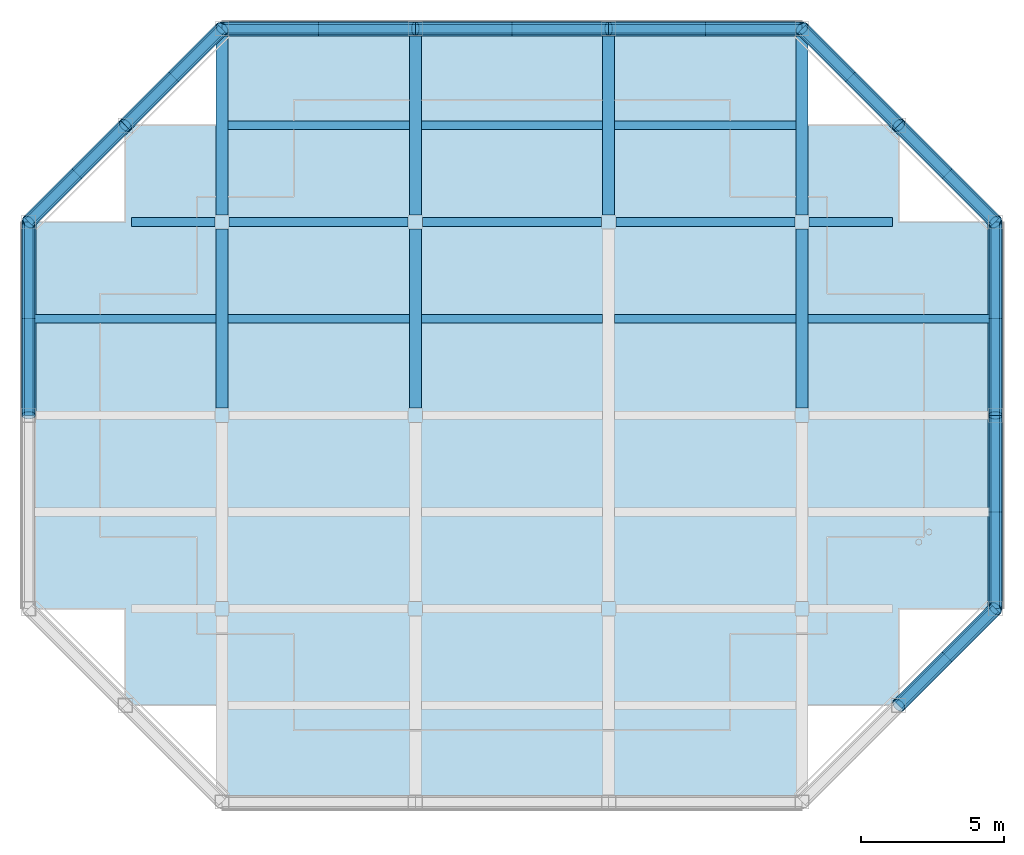
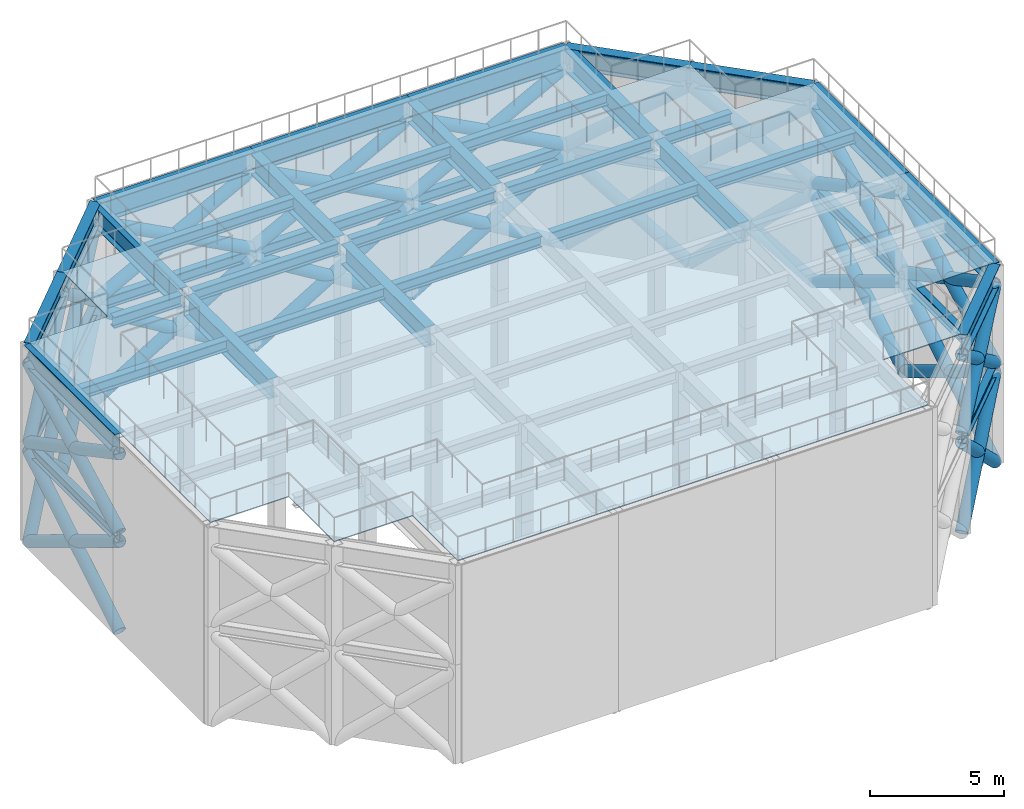
# One storey, part 3 of 5: 44 members, 42 beams, 1 plate.
"""IFC4 building model written with IfcOpenShell, lengths in metres."""

from ifc_helpers import new_model, si_unit, direction, frame, origin, origin_2d, place, context, subcontext, project, spatial, polyline, hollow_circle, i_section, outline, extrude, material, layer, layer_set, material_profile, profile_set, type_object, element, save


model = new_model("IFC4")

# Units and contexts
model_context = context("Model", 3, precision=1e-05, world=origin(), true_north=direction((0.0, 1.0)))
body_context = subcontext(model_context, "Body", "Model", "MODEL_VIEW")
ifc_project = project(units=[si_unit("LENGTHUNIT", "METRE"), si_unit("AREAUNIT", "SQUARE_METRE"), si_unit("VOLUMEUNIT", "CUBIC_METRE"), si_unit("PLANEANGLEUNIT", "RADIAN"), si_unit("MASSUNIT", "GRAM", prefix="KILO")], contexts=[model_context])

# Site, building, storey
site_placement = place(None, origin())
site = spatial("IfcSite", under=ifc_project, at=site_placement, CompositionType="ELEMENT")
building_placement = place(site_placement, origin())
building = spatial("IfcBuilding", under=site, at=building_placement, Name="Nyansa Garden Tower", CompositionType="ELEMENT")
storey_placement = place(building_placement, frame((0.0, 0.0, 259.199951171875)))
storey = spatial("IfcBuildingStorey", under=building, at=storey_placement, Name="L70", CompositionType="ELEMENT", Elevation=259.199951171875)

# Beams
ifc_material_1 = material(Name="Steel S355", Category="steel")
ifc_material_profile_1 = material_profile(ifc_material_1, i_section(OverallWidth=0.422119140625, OverallDepth=0.9189453125, WebThickness=0.0166015625, FlangeThickness=0.030029296875, FilletRadius=0.02392578125, at=origin_2d()), Name="HL 920x390")
ifc_profile_set_1 = profile_set([ifc_material_profile_1], Name="Steel S355")
beam_type_1 = type_object("IfcBeamType", Name="Crown frame cap ring HL 920x390", PredefinedType="BEAM", material=ifc_profile_set_1)
beam_1_placement = place(storey_placement, frame((33.75, 13.5, 8.54052734375), z_axis=(-0.707106781187, -0.707106781187, 0.0), x_axis=(0.707106781187, -0.707106781187, 0.0)))
element("IfcBeam", 1, at=beam_1_placement, inside=storey, type_object=beam_type_1, Name="Crown frame cap ring 7/F-30.375/10.125", PredefinedType="BEAM", context=body_context, shape_type="SweptSolid", body=[
    extrude(i_section(OverallWidth=0.422119140625, OverallDepth=0.9189453125, WebThickness=0.0166015625, FlangeThickness=0.030029296875, FilletRadius=0.02392578125, at=origin_2d()), origin(), (0.0, 0.0, 1.0), 4.77294921875),
])
beam_2_placement = place(storey_placement, frame((0.0, 20.25, 8.54052734375), z_axis=(0.0, 1.0, 0.0), x_axis=(-1.0, 0.0, 0.0)))
element("IfcBeam", 2, at=beam_2_placement, inside=storey, type_object=beam_type_1, Name="Crown frame cap ring 2/G-2/H", PredefinedType="BEAM", context=body_context, shape_type="SweptSolid", body=[
    extrude(i_section(OverallWidth=0.422119140625, OverallDepth=0.9189453125, WebThickness=0.0166015625, FlangeThickness=0.030029296875, FilletRadius=0.02392578125, at=origin_2d()), origin(), (0.0, 0.0, 1.0), 6.75),
])
for number, where, z_axis, x_axis, name in (
    (3, (0.0, 27.0, 8.54052734375), (0.707106781187, 0.707106781187, 0.0), (-0.707106781187, 0.707106781187, 0.0), "Crown frame cap ring 2/H-3.375/30.375"),
    (4, (3.375, 30.375, 8.54052734375), (0.707106781187, 0.707106781187, 0.0), (-0.707106781187, 0.707106781187, 0.0), "Crown frame cap ring 3.375/30.375-3/J"),
):
    element("IfcBeam", number, at=place(storey_placement, frame(where, z_axis=z_axis, x_axis=x_axis)), inside=storey, type_object=beam_type_1, Name=name, PredefinedType="BEAM", context=body_context, shape_type="SweptSolid", body=[
        extrude(i_section(OverallWidth=0.422119140625, OverallDepth=0.9189453125, WebThickness=0.0166015625, FlangeThickness=0.030029296875, FilletRadius=0.02392578125, at=origin_2d()), origin(), (0.0, 0.0, 1.0), 4.77294921875),
    ])
for number, where, z_axis, x_axis, name in (
    (5, (6.75, 33.75, 8.54052734375), (1.0, 0.0, 0.0), (0.0, 1.0, 0.0), "Crown frame cap ring 3/J-4/J"),
    (6, (13.5, 33.75, 8.54052734375), (1.0, 0.0, 0.0), (0.0, 1.0, 0.0), "Crown frame cap ring 4/J-5/J"),
    (7, (20.25, 33.75, 8.54052734375), (1.0, 0.0, 0.0), (0.0, 1.0, 0.0), "Crown frame cap ring 5/J-6/J"),
):
    element("IfcBeam", number, at=place(storey_placement, frame(where, z_axis=z_axis, x_axis=x_axis)), inside=storey, type_object=beam_type_1, Name=name, PredefinedType="BEAM", context=body_context, shape_type="SweptSolid", body=[
        extrude(i_section(OverallWidth=0.422119140625, OverallDepth=0.9189453125, WebThickness=0.0166015625, FlangeThickness=0.030029296875, FilletRadius=0.02392578125, at=origin_2d()), origin(), (0.0, 0.0, 1.0), 6.75),
    ])
for number, where, z_axis, x_axis, name in (
    (8, (27.0, 33.75, 8.54052734375), (0.707106781187, -0.707106781187, 0.0), (0.707106781187, 0.707106781187, 0.0), "Crown frame cap ring 6/J-30.375/30.375"),
    (9, (30.375, 30.375, 8.54052734375), (0.707106781187, -0.707106781187, 0.0), (0.707106781187, 0.707106781187, 0.0), "Crown frame cap ring 30.375/30.375-7/H"),
):
    element("IfcBeam", number, at=place(storey_placement, frame(where, z_axis=z_axis, x_axis=x_axis)), inside=storey, type_object=beam_type_1, Name=name, PredefinedType="BEAM", context=body_context, shape_type="SweptSolid", body=[
        extrude(i_section(OverallWidth=0.422119140625, OverallDepth=0.9189453125, WebThickness=0.0166015625, FlangeThickness=0.030029296875, FilletRadius=0.02392578125, at=origin_2d()), origin(), (0.0, 0.0, 1.0), 4.77294921875),
    ])
for number, where, z_axis, x_axis, name in (
    (10, (33.75, 27.0, 8.54052734375), (0.0, -1.0, 0.0), (1.0, 0.0, 0.0), "Crown frame cap ring 7/H-7/G"),
    (11, (33.75, 20.25, 8.54052734375), (0.0, -1.0, 0.0), (1.0, 0.0, 0.0), "Crown frame cap ring 7/G-7/F"),
):
    element("IfcBeam", number, at=place(storey_placement, frame(where, z_axis=z_axis, x_axis=x_axis)), inside=storey, type_object=beam_type_1, Name=name, PredefinedType="BEAM", context=body_context, shape_type="SweptSolid", body=[
        extrude(i_section(OverallWidth=0.422119140625, OverallDepth=0.9189453125, WebThickness=0.0166015625, FlangeThickness=0.030029296875, FilletRadius=0.02392578125, at=origin_2d()), origin(), (0.0, 0.0, 1.0), 6.75),
    ])
for number, where, z_axis, x_axis, name in (
    (12, (6.75, 20.5, 8.54052734375), (0.0, 1.0, 0.0), (-1.0, 0.0, 0.0), "Crown frame cap girder 3"),
    (13, (6.75, 27.25, 8.54052734375), (0.0, 1.0, 0.0), (-1.0, 0.0, 0.0), "Crown frame cap girder 4"),
    (14, (13.5, 20.5, 8.54052734375), (0.0, 1.0, 0.0), (-1.0, 0.0, 0.0), "Crown frame cap girder 7"),
    (15, (13.5, 27.25, 8.54052734375), (0.0, 1.0, 0.0), (-1.0, 0.0, 0.0), "Crown frame cap girder 8"),
    (16, (20.25, 27.25, 8.54052734375), (0.0, 1.0, 0.0), (-1.0, 0.0, 0.0), "Crown frame cap girder 11"),
    (17, (27.0, 20.5, 8.54052734375), (0.0, 1.0, 0.0), (-1.0, 0.0, 0.0), "Crown frame cap girder 14"),
    (18, (27.0, 27.25, 8.54052734375), (0.0, 1.0, 0.0), (-1.0, 0.0, 0.0), "Crown frame cap girder 15"),
):
    element("IfcBeam", number, at=place(storey_placement, frame(where, z_axis=z_axis, x_axis=x_axis)), inside=storey, type_object=beam_type_1, Name=name, PredefinedType="BEAM", context=body_context, shape_type="SweptSolid", body=[
        extrude(i_section(OverallWidth=0.422119140625, OverallDepth=0.9189453125, WebThickness=0.0166015625, FlangeThickness=0.030029296875, FilletRadius=0.02392578125, at=origin_2d()), origin(), (0.0, 0.0, 1.0), 6.25),
    ])

# Members
ifc_material_2 = material(Name="Steel S355", Category="steel")
ifc_material_profile_2 = material_profile(ifc_material_2, hollow_circle(Radius=0.25390625, WallThickness=0.01611328125, at=origin_2d()), Name="CHS 508x16")
ifc_profile_set_2 = profile_set([ifc_material_profile_2], Name="Steel S355")
member_type = type_object("IfcMemberType", Name="Crown frame rib CHS 508x16", PredefinedType="BRACE", material=ifc_profile_set_2)
for number, where, z_axis, x_axis, name in (
    (19, (33.75, 13.5, 4.5), (-0.56560995683, -0.56560995683, 0.600142277689), (0.707106781187, -0.707106781187, 0.0), "Crown frame rib 1a"),
    (20, (30.375, 10.125, 4.5), (0.56560995683, 0.56560995683, 0.600142277689), (-0.707106781187, 0.707106781187, 0.0), "Crown frame rib 1b"),
):
    element("IfcMember", number, at=place(storey_placement, frame(where, z_axis=z_axis, x_axis=x_axis)), inside=storey, type_object=member_type, Name=name, PredefinedType="BRACE", context=body_context, shape_type="SweptSolid", body=[
        extrude(hollow_circle(Radius=0.25390625, WallThickness=0.01611328125, at=origin_2d()), origin(), (0.0, 0.0, 1.0), 5.967041015625),
    ])
for number, where, z_axis, x_axis, name in (
    (21, (33.75, 13.5, 0.0), (-0.536376544624, -0.536376544624, 0.651613692884), (0.707106781187, -0.707106781187, 0.0), "Crown frame rib 1c"),
    (22, (30.375, 10.125, 0.0), (0.536376544624, 0.536376544624, 0.651613692884), (-0.707106781187, 0.707106781187, 0.0), "Crown frame rib 1d"),
):
    element("IfcMember", number, at=place(storey_placement, frame(where, z_axis=z_axis, x_axis=x_axis)), inside=storey, type_object=member_type, Name=name, PredefinedType="BRACE", context=body_context, shape_type="SweptSolid", body=[
        extrude(hollow_circle(Radius=0.25390625, WallThickness=0.01611328125, at=origin_2d()), origin(), (0.0, 0.0, 1.0), 6.292236328125),
    ])
for number, where, z_axis, x_axis, name in (
    (23, (0.0, 20.25, 4.5), (0.0, 0.883380336278, 0.468656784307), (-1.0, 0.0, 0.0), "Crown frame rib 9a"),
    (24, (0.0, 27.0, 4.5), (0.0, -0.883380336278, 0.468656784307), (1.0, 0.0, 0.0), "Crown frame rib 9b"),
):
    element("IfcMember", number, at=place(storey_placement, frame(where, z_axis=z_axis, x_axis=x_axis)), inside=storey, type_object=member_type, Name=name, PredefinedType="BRACE", context=body_context, shape_type="SweptSolid", body=[
        extrude(hollow_circle(Radius=0.25390625, WallThickness=0.01611328125, at=origin_2d()), origin(), (0.0, 0.0, 1.0), 7.64111328125),
    ])
for number, where, z_axis, x_axis, name in (
    (25, (0.0, 20.25, 0.0), (0.0, 0.854681707701, 0.51915236542), (-1.0, 0.0, 0.0), "Crown frame rib 9c"),
    (26, (0.0, 27.0, 0.0), (0.0, -0.854681707701, 0.51915236542), (1.0, 0.0, 0.0), "Crown frame rib 9d"),
):
    element("IfcMember", number, at=place(storey_placement, frame(where, z_axis=z_axis, x_axis=x_axis)), inside=storey, type_object=member_type, Name=name, PredefinedType="BRACE", context=body_context, shape_type="SweptSolid", body=[
        extrude(hollow_circle(Radius=0.25390625, WallThickness=0.01611328125, at=origin_2d()), origin(), (0.0, 0.0, 1.0), 7.897705078125),
    ])
for number, where, z_axis, x_axis, name in (
    (27, (0.0, 27.0, 4.5), (0.56560995683, 0.56560995683, 0.600142277689), (-0.707106781187, 0.707106781187, 0.0), "Crown frame rib 10a"),
    (28, (3.375, 30.375, 4.5), (-0.56560995683, -0.56560995683, 0.600142277689), (0.707106781187, -0.707106781187, 0.0), "Crown frame rib 10b"),
):
    element("IfcMember", number, at=place(storey_placement, frame(where, z_axis=z_axis, x_axis=x_axis)), inside=storey, type_object=member_type, Name=name, PredefinedType="BRACE", context=body_context, shape_type="SweptSolid", body=[
        extrude(hollow_circle(Radius=0.25390625, WallThickness=0.01611328125, at=origin_2d()), origin(), (0.0, 0.0, 1.0), 5.967041015625),
    ])
for number, where, z_axis, x_axis, name in (
    (29, (0.0, 27.0, 0.0), (0.536376544624, 0.536376544624, 0.651613692884), (-0.707106781187, 0.707106781187, 0.0), "Crown frame rib 10c"),
    (30, (3.375, 30.375, 0.0), (-0.536376544624, -0.536376544624, 0.651613692884), (0.707106781187, -0.707106781187, 0.0), "Crown frame rib 10d"),
):
    element("IfcMember", number, at=place(storey_placement, frame(where, z_axis=z_axis, x_axis=x_axis)), inside=storey, type_object=member_type, Name=name, PredefinedType="BRACE", context=body_context, shape_type="SweptSolid", body=[
        extrude(hollow_circle(Radius=0.25390625, WallThickness=0.01611328125, at=origin_2d()), origin(), (0.0, 0.0, 1.0), 6.292236328125),
    ])
for number, where, z_axis, x_axis, name in (
    (31, (3.375, 30.375, 4.5), (0.56560995683, 0.56560995683, 0.600142277689), (-0.707106781187, 0.707106781187, 0.0), "Crown frame rib 11a"),
    (32, (6.75, 33.75, 4.5), (-0.56560995683, -0.56560995683, 0.600142277689), (0.707106781187, -0.707106781187, 0.0), "Crown frame rib 11b"),
):
    element("IfcMember", number, at=place(storey_placement, frame(where, z_axis=z_axis, x_axis=x_axis)), inside=storey, type_object=member_type, Name=name, PredefinedType="BRACE", context=body_context, shape_type="SweptSolid", body=[
        extrude(hollow_circle(Radius=0.25390625, WallThickness=0.01611328125, at=origin_2d()), origin(), (0.0, 0.0, 1.0), 5.967041015625),
    ])
for number, where, z_axis, x_axis, name in (
    (33, (3.375, 30.375, 0.0), (0.536376544624, 0.536376544624, 0.651613692884), (-0.707106781187, 0.707106781187, 0.0), "Crown frame rib 11c"),
    (34, (6.75, 33.75, 0.0), (-0.536376544624, -0.536376544624, 0.651613692884), (0.707106781187, -0.707106781187, 0.0), "Crown frame rib 11d"),
):
    element("IfcMember", number, at=place(storey_placement, frame(where, z_axis=z_axis, x_axis=x_axis)), inside=storey, type_object=member_type, Name=name, PredefinedType="BRACE", context=body_context, shape_type="SweptSolid", body=[
        extrude(hollow_circle(Radius=0.25390625, WallThickness=0.01611328125, at=origin_2d()), origin(), (0.0, 0.0, 1.0), 6.292236328125),
    ])
for number, where, z_axis, x_axis, name in (
    (35, (6.75, 33.75, 4.5), (0.883380336278, 0.0, 0.468656784307), (0.0, 1.0, 0.0), "Crown frame rib 12a"),
    (36, (13.5, 33.75, 4.5), (-0.883380336278, 0.0, 0.468656784307), (0.0, -1.0, 0.0), "Crown frame rib 12b"),
):
    element("IfcMember", number, at=place(storey_placement, frame(where, z_axis=z_axis, x_axis=x_axis)), inside=storey, type_object=member_type, Name=name, PredefinedType="BRACE", context=body_context, shape_type="SweptSolid", body=[
        extrude(hollow_circle(Radius=0.25390625, WallThickness=0.01611328125, at=origin_2d()), origin(), (0.0, 0.0, 1.0), 7.64111328125),
    ])
for number, where, z_axis, x_axis, name in (
    (37, (6.75, 33.75, 0.0), (0.854681707701, 0.0, 0.51915236542), (0.0, 1.0, 0.0), "Crown frame rib 12c"),
    (38, (13.5, 33.75, 0.0), (-0.854681707701, 0.0, 0.51915236542), (0.0, -1.0, 0.0), "Crown frame rib 12d"),
):
    element("IfcMember", number, at=place(storey_placement, frame(where, z_axis=z_axis, x_axis=x_axis)), inside=storey, type_object=member_type, Name=name, PredefinedType="BRACE", context=body_context, shape_type="SweptSolid", body=[
        extrude(hollow_circle(Radius=0.25390625, WallThickness=0.01611328125, at=origin_2d()), origin(), (0.0, 0.0, 1.0), 7.897705078125),
    ])
for number, where, z_axis, x_axis, name in (
    (39, (13.5, 33.75, 4.5), (0.883380336278, 0.0, 0.468656784307), (0.0, 1.0, 0.0), "Crown frame rib 13a"),
    (40, (20.25, 33.75, 4.5), (-0.883380336278, 0.0, 0.468656784307), (0.0, -1.0, 0.0), "Crown frame rib 13b"),
):
    element("IfcMember", number, at=place(storey_placement, frame(where, z_axis=z_axis, x_axis=x_axis)), inside=storey, type_object=member_type, Name=name, PredefinedType="BRACE", context=body_context, shape_type="SweptSolid", body=[
        extrude(hollow_circle(Radius=0.25390625, WallThickness=0.01611328125, at=origin_2d()), origin(), (0.0, 0.0, 1.0), 7.64111328125),
    ])
for number, where, z_axis, x_axis, name in (
    (41, (13.5, 33.75, 0.0), (0.854681707701, 0.0, 0.51915236542), (0.0, 1.0, 0.0), "Crown frame rib 13c"),
    (42, (20.25, 33.75, 0.0), (-0.854681707701, 0.0, 0.51915236542), (0.0, -1.0, 0.0), "Crown frame rib 13d"),
):
    element("IfcMember", number, at=place(storey_placement, frame(where, z_axis=z_axis, x_axis=x_axis)), inside=storey, type_object=member_type, Name=name, PredefinedType="BRACE", context=body_context, shape_type="SweptSolid", body=[
        extrude(hollow_circle(Radius=0.25390625, WallThickness=0.01611328125, at=origin_2d()), origin(), (0.0, 0.0, 1.0), 7.897705078125),
    ])
for number, where, z_axis, x_axis, name in (
    (43, (20.25, 33.75, 4.5), (0.883380336278, 0.0, 0.468656784307), (0.0, 1.0, 0.0), "Crown frame rib 14a"),
    (44, (27.0, 33.75, 4.5), (-0.883380336278, 0.0, 0.468656784307), (0.0, -1.0, 0.0), "Crown frame rib 14b"),
):
    element("IfcMember", number, at=place(storey_placement, frame(where, z_axis=z_axis, x_axis=x_axis)), inside=storey, type_object=member_type, Name=name, PredefinedType="BRACE", context=body_context, shape_type="SweptSolid", body=[
        extrude(hollow_circle(Radius=0.25390625, WallThickness=0.01611328125, at=origin_2d()), origin(), (0.0, 0.0, 1.0), 7.64111328125),
    ])
for number, where, z_axis, x_axis, name in (
    (45, (20.25, 33.75, 0.0), (0.854681707701, 0.0, 0.51915236542), (0.0, 1.0, 0.0), "Crown frame rib 14c"),
    (46, (27.0, 33.75, 0.0), (-0.854681707701, 0.0, 0.51915236542), (0.0, -1.0, 0.0), "Crown frame rib 14d"),
):
    element("IfcMember", number, at=place(storey_placement, frame(where, z_axis=z_axis, x_axis=x_axis)), inside=storey, type_object=member_type, Name=name, PredefinedType="BRACE", context=body_context, shape_type="SweptSolid", body=[
        extrude(hollow_circle(Radius=0.25390625, WallThickness=0.01611328125, at=origin_2d()), origin(), (0.0, 0.0, 1.0), 7.897705078125),
    ])
for number, where, z_axis, x_axis, name in (
    (47, (27.0, 33.75, 4.5), (0.56560995683, -0.56560995683, 0.600142277689), (0.707106781187, 0.707106781187, 0.0), "Crown frame rib 15a"),
    (48, (30.375, 30.375, 4.5), (-0.56560995683, 0.56560995683, 0.600142277689), (-0.707106781187, -0.707106781187, 0.0), "Crown frame rib 15b"),
):
    element("IfcMember", number, at=place(storey_placement, frame(where, z_axis=z_axis, x_axis=x_axis)), inside=storey, type_object=member_type, Name=name, PredefinedType="BRACE", context=body_context, shape_type="SweptSolid", body=[
        extrude(hollow_circle(Radius=0.25390625, WallThickness=0.01611328125, at=origin_2d()), origin(), (0.0, 0.0, 1.0), 5.967041015625),
    ])
for number, where, z_axis, x_axis, name in (
    (49, (27.0, 33.75, 0.0), (0.536376544624, -0.536376544624, 0.651613692884), (0.707106781187, 0.707106781187, 0.0), "Crown frame rib 15c"),
    (50, (30.375, 30.375, 0.0), (-0.536376544624, 0.536376544624, 0.651613692884), (-0.707106781187, -0.707106781187, 0.0), "Crown frame rib 15d"),
):
    element("IfcMember", number, at=place(storey_placement, frame(where, z_axis=z_axis, x_axis=x_axis)), inside=storey, type_object=member_type, Name=name, PredefinedType="BRACE", context=body_context, shape_type="SweptSolid", body=[
        extrude(hollow_circle(Radius=0.25390625, WallThickness=0.01611328125, at=origin_2d()), origin(), (0.0, 0.0, 1.0), 6.292236328125),
    ])
for number, where, z_axis, x_axis, name in (
    (51, (30.375, 30.375, 4.5), (0.56560995683, -0.56560995683, 0.600142277689), (0.707106781187, 0.707106781187, 0.0), "Crown frame rib 16a"),
    (52, (33.75, 27.0, 4.5), (-0.56560995683, 0.56560995683, 0.600142277689), (-0.707106781187, -0.707106781187, 0.0), "Crown frame rib 16b"),
):
    element("IfcMember", number, at=place(storey_placement, frame(where, z_axis=z_axis, x_axis=x_axis)), inside=storey, type_object=member_type, Name=name, PredefinedType="BRACE", context=body_context, shape_type="SweptSolid", body=[
        extrude(hollow_circle(Radius=0.25390625, WallThickness=0.01611328125, at=origin_2d()), origin(), (0.0, 0.0, 1.0), 5.967041015625),
    ])
for number, where, z_axis, x_axis, name in (
    (53, (30.375, 30.375, 0.0), (0.536376544624, -0.536376544624, 0.651613692884), (0.707106781187, 0.707106781187, 0.0), "Crown frame rib 16c"),
    (54, (33.75, 27.0, 0.0), (-0.536376544624, 0.536376544624, 0.651613692884), (-0.707106781187, -0.707106781187, 0.0), "Crown frame rib 16d"),
):
    element("IfcMember", number, at=place(storey_placement, frame(where, z_axis=z_axis, x_axis=x_axis)), inside=storey, type_object=member_type, Name=name, PredefinedType="BRACE", context=body_context, shape_type="SweptSolid", body=[
        extrude(hollow_circle(Radius=0.25390625, WallThickness=0.01611328125, at=origin_2d()), origin(), (0.0, 0.0, 1.0), 6.292236328125),
    ])
for number, where, z_axis, x_axis, name in (
    (55, (33.75, 27.0, 4.5), (0.0, -0.883380336278, 0.468656784307), (1.0, 0.0, 0.0), "Crown frame rib 17a"),
    (56, (33.75, 20.25, 4.5), (0.0, 0.883380336278, 0.468656784307), (-1.0, 0.0, 0.0), "Crown frame rib 17b"),
):
    element("IfcMember", number, at=place(storey_placement, frame(where, z_axis=z_axis, x_axis=x_axis)), inside=storey, type_object=member_type, Name=name, PredefinedType="BRACE", context=body_context, shape_type="SweptSolid", body=[
        extrude(hollow_circle(Radius=0.25390625, WallThickness=0.01611328125, at=origin_2d()), origin(), (0.0, 0.0, 1.0), 7.64111328125),
    ])
for number, where, z_axis, x_axis, name in (
    (57, (33.75, 27.0, 0.0), (0.0, -0.854681707701, 0.51915236542), (1.0, 0.0, 0.0), "Crown frame rib 17c"),
    (58, (33.75, 20.25, 0.0), (0.0, 0.854681707701, 0.51915236542), (-1.0, 0.0, 0.0), "Crown frame rib 17d"),
):
    element("IfcMember", number, at=place(storey_placement, frame(where, z_axis=z_axis, x_axis=x_axis)), inside=storey, type_object=member_type, Name=name, PredefinedType="BRACE", context=body_context, shape_type="SweptSolid", body=[
        extrude(hollow_circle(Radius=0.25390625, WallThickness=0.01611328125, at=origin_2d()), origin(), (0.0, 0.0, 1.0), 7.897705078125),
    ])
for number, where, z_axis, x_axis, name in (
    (59, (33.75, 20.25, 4.5), (0.0, -0.883380336278, 0.468656784307), (1.0, 0.0, 0.0), "Crown frame rib 18a"),
    (60, (33.75, 13.5, 4.5), (0.0, 0.883380336278, 0.468656784307), (-1.0, 0.0, 0.0), "Crown frame rib 18b"),
):
    element("IfcMember", number, at=place(storey_placement, frame(where, z_axis=z_axis, x_axis=x_axis)), inside=storey, type_object=member_type, Name=name, PredefinedType="BRACE", context=body_context, shape_type="SweptSolid", body=[
        extrude(hollow_circle(Radius=0.25390625, WallThickness=0.01611328125, at=origin_2d()), origin(), (0.0, 0.0, 1.0), 7.64111328125),
    ])
for number, where, z_axis, x_axis, name in (
    (61, (33.75, 20.25, 0.0), (0.0, -0.854681707701, 0.51915236542), (1.0, 0.0, 0.0), "Crown frame rib 18c"),
    (62, (33.75, 13.5, 0.0), (0.0, 0.854681707701, 0.51915236542), (-1.0, 0.0, 0.0), "Crown frame rib 18d"),
):
    element("IfcMember", number, at=place(storey_placement, frame(where, z_axis=z_axis, x_axis=x_axis)), inside=storey, type_object=member_type, Name=name, PredefinedType="BRACE", context=body_context, shape_type="SweptSolid", body=[
        extrude(hollow_circle(Radius=0.25390625, WallThickness=0.01611328125, at=origin_2d()), origin(), (0.0, 0.0, 1.0), 7.897705078125),
    ])

# Beams
ifc_material_3 = material(Name="Steel S355", Category="steel")
ifc_material_profile_3 = material_profile(ifc_material_3, i_section(OverallWidth=0.300048828125, OverallDepth=0.5, WebThickness=0.014404296875, FlangeThickness=0.028076171875, FilletRadius=0.027099609375, at=origin_2d()), Name="HE 500 B")
ifc_profile_set_3 = profile_set([ifc_material_profile_3], Name="Steel S355")
beam_type_2 = type_object("IfcBeamType", Name="Crown frame ring HE 500 B", PredefinedType="BEAM", material=ifc_profile_set_3)
beam_3_placement = place(storey_placement, frame((33.75, 13.5, 4.300048828125), z_axis=(-0.707106781187, -0.707106781187, 0.0), x_axis=(0.707106781187, -0.707106781187, 0.0)))
element("IfcBeam", 63, at=beam_3_placement, inside=storey, type_object=beam_type_2, Name="Crown frame ring 1 7/F-30.375/10.125", PredefinedType="BEAM", context=body_context, shape_type="SweptSolid", body=[
    extrude(i_section(OverallWidth=0.300048828125, OverallDepth=0.5, WebThickness=0.014404296875, FlangeThickness=0.028076171875, FilletRadius=0.027099609375, at=origin_2d()), origin(), (0.0, 0.0, 1.0), 4.77294921875),
])
beam_4_placement = place(storey_placement, frame((0.0, 20.25, 4.300048828125), z_axis=(0.0, 1.0, 0.0), x_axis=(-1.0, 0.0, 0.0)))
element("IfcBeam", 64, at=beam_4_placement, inside=storey, type_object=beam_type_2, Name="Crown frame ring 1 2/G-2/H", PredefinedType="BEAM", context=body_context, shape_type="SweptSolid", body=[
    extrude(i_section(OverallWidth=0.300048828125, OverallDepth=0.5, WebThickness=0.014404296875, FlangeThickness=0.028076171875, FilletRadius=0.027099609375, at=origin_2d()), origin(), (0.0, 0.0, 1.0), 6.75),
])
for number, where, z_axis, x_axis, name in (
    (65, (0.0, 27.0, 4.300048828125), (0.707106781187, 0.707106781187, 0.0), (-0.707106781187, 0.707106781187, 0.0), "Crown frame ring 1 2/H-3.375/30.375"),
    (66, (3.375, 30.375, 4.300048828125), (0.707106781187, 0.707106781187, 0.0), (-0.707106781187, 0.707106781187, 0.0), "Crown frame ring 1 3.375/30.375-3/J"),
):
    element("IfcBeam", number, at=place(storey_placement, frame(where, z_axis=z_axis, x_axis=x_axis)), inside=storey, type_object=beam_type_2, Name=name, PredefinedType="BEAM", context=body_context, shape_type="SweptSolid", body=[
        extrude(i_section(OverallWidth=0.300048828125, OverallDepth=0.5, WebThickness=0.014404296875, FlangeThickness=0.028076171875, FilletRadius=0.027099609375, at=origin_2d()), origin(), (0.0, 0.0, 1.0), 4.77294921875),
    ])
for number, where, z_axis, x_axis, name in (
    (67, (6.75, 33.75, 4.300048828125), (1.0, 0.0, 0.0), (0.0, 1.0, 0.0), "Crown frame ring 1 3/J-4/J"),
    (68, (13.5, 33.75, 4.300048828125), (1.0, 0.0, 0.0), (0.0, 1.0, 0.0), "Crown frame ring 1 4/J-5/J"),
    (69, (20.25, 33.75, 4.300048828125), (1.0, 0.0, 0.0), (0.0, 1.0, 0.0), "Crown frame ring 1 5/J-6/J"),
):
    element("IfcBeam", number, at=place(storey_placement, frame(where, z_axis=z_axis, x_axis=x_axis)), inside=storey, type_object=beam_type_2, Name=name, PredefinedType="BEAM", context=body_context, shape_type="SweptSolid", body=[
        extrude(i_section(OverallWidth=0.300048828125, OverallDepth=0.5, WebThickness=0.014404296875, FlangeThickness=0.028076171875, FilletRadius=0.027099609375, at=origin_2d()), origin(), (0.0, 0.0, 1.0), 6.75),
    ])
for number, where, z_axis, x_axis, name in (
    (70, (27.0, 33.75, 4.300048828125), (0.707106781187, -0.707106781187, 0.0), (0.707106781187, 0.707106781187, 0.0), "Crown frame ring 1 6/J-30.375/30.375"),
    (71, (30.375, 30.375, 4.300048828125), (0.707106781187, -0.707106781187, 0.0), (0.707106781187, 0.707106781187, 0.0), "Crown frame ring 1 30.375/30.375-7/H"),
):
    element("IfcBeam", number, at=place(storey_placement, frame(where, z_axis=z_axis, x_axis=x_axis)), inside=storey, type_object=beam_type_2, Name=name, PredefinedType="BEAM", context=body_context, shape_type="SweptSolid", body=[
        extrude(i_section(OverallWidth=0.300048828125, OverallDepth=0.5, WebThickness=0.014404296875, FlangeThickness=0.028076171875, FilletRadius=0.027099609375, at=origin_2d()), origin(), (0.0, 0.0, 1.0), 4.77294921875),
    ])
for number, where, z_axis, x_axis, name in (
    (72, (33.75, 27.0, 4.300048828125), (0.0, -1.0, 0.0), (1.0, 0.0, 0.0), "Crown frame ring 1 7/H-7/G"),
    (73, (33.75, 20.25, 4.300048828125), (0.0, -1.0, 0.0), (1.0, 0.0, 0.0), "Crown frame ring 1 7/G-7/F"),
):
    element("IfcBeam", number, at=place(storey_placement, frame(where, z_axis=z_axis, x_axis=x_axis)), inside=storey, type_object=beam_type_2, Name=name, PredefinedType="BEAM", context=body_context, shape_type="SweptSolid", body=[
        extrude(i_section(OverallWidth=0.300048828125, OverallDepth=0.5, WebThickness=0.014404296875, FlangeThickness=0.028076171875, FilletRadius=0.027099609375, at=origin_2d()), origin(), (0.0, 0.0, 1.0), 6.75),
    ])
for number, where, z_axis, x_axis, name in (
    (74, (0.2109375, 23.625, 8.75), (1.0, 0.0, 0.0), (0.0, 1.0, 0.0), "Crown frame roof beam 19"),
    (75, (6.9609375, 23.625, 8.75), (1.0, 0.0, 0.0), (0.0, 1.0, 0.0), "Crown frame roof beam 20"),
    (76, (13.7109375, 23.625, 8.75), (1.0, 0.0, 0.0), (0.0, 1.0, 0.0), "Crown frame roof beam 21"),
    (77, (20.4609375, 23.625, 8.75), (1.0, 0.0, 0.0), (0.0, 1.0, 0.0), "Crown frame roof beam 22"),
    (78, (27.2109375, 23.625, 8.75), (1.0, 0.0, 0.0), (0.0, 1.0, 0.0), "Crown frame roof beam 23"),
):
    element("IfcBeam", number, at=place(storey_placement, frame(where, z_axis=z_axis, x_axis=x_axis)), inside=storey, type_object=beam_type_2, Name=name, PredefinedType="BEAM", context=body_context, shape_type="SweptSolid", body=[
        extrude(i_section(OverallWidth=0.300048828125, OverallDepth=0.5, WebThickness=0.014404296875, FlangeThickness=0.028076171875, FilletRadius=0.027099609375, at=origin_2d()), origin(), (0.0, 0.0, 1.0), 6.328125),
    ])
beam_5_placement = place(storey_placement, frame((3.5859375, 27.0, 8.75), z_axis=(1.0, 0.0, 0.0), x_axis=(0.0, 1.0, 0.0)))
element("IfcBeam", 79, at=beam_5_placement, inside=storey, type_object=beam_type_2, Name="Crown frame roof beam 24", PredefinedType="BEAM", context=body_context, shape_type="SweptSolid", body=[
    extrude(i_section(OverallWidth=0.300048828125, OverallDepth=0.5, WebThickness=0.014404296875, FlangeThickness=0.028076171875, FilletRadius=0.027099609375, at=origin_2d()), origin(), (0.0, 0.0, 1.0), 2.9140625),
])
for number, where, z_axis, x_axis, name in (
    (80, (7.0, 27.0, 8.75), (1.0, 0.0, 0.0), (0.0, 1.0, 0.0), "Crown frame roof beam 25"),
    (81, (13.75, 27.0, 8.75), (1.0, 0.0, 0.0), (0.0, 1.0, 0.0), "Crown frame roof beam 26"),
    (82, (20.5, 27.0, 8.75), (1.0, 0.0, 0.0), (0.0, 1.0, 0.0), "Crown frame roof beam 27"),
):
    element("IfcBeam", number, at=place(storey_placement, frame(where, z_axis=z_axis, x_axis=x_axis)), inside=storey, type_object=beam_type_2, Name=name, PredefinedType="BEAM", context=body_context, shape_type="SweptSolid", body=[
        extrude(i_section(OverallWidth=0.300048828125, OverallDepth=0.5, WebThickness=0.014404296875, FlangeThickness=0.028076171875, FilletRadius=0.027099609375, at=origin_2d()), origin(), (0.0, 0.0, 1.0), 6.25),
    ])
beam_6_placement = place(storey_placement, frame((27.25, 27.0, 8.75), z_axis=(1.0, 0.0, 0.0), x_axis=(0.0, 1.0, 0.0)))
element("IfcBeam", 83, at=beam_6_placement, inside=storey, type_object=beam_type_2, Name="Crown frame roof beam 28", PredefinedType="BEAM", context=body_context, shape_type="SweptSolid", body=[
    extrude(i_section(OverallWidth=0.300048828125, OverallDepth=0.5, WebThickness=0.014404296875, FlangeThickness=0.028076171875, FilletRadius=0.027099609375, at=origin_2d()), origin(), (0.0, 0.0, 1.0), 2.9140625),
])
for number, where, z_axis, x_axis, name in (
    (84, (6.9609375, 30.375, 8.75), (1.0, 0.0, 0.0), (0.0, 1.0, 0.0), "Crown frame roof beam 29"),
    (85, (13.7109375, 30.375, 8.75), (1.0, 0.0, 0.0), (0.0, 1.0, 0.0), "Crown frame roof beam 30"),
    (86, (20.4609375, 30.375, 8.75), (1.0, 0.0, 0.0), (0.0, 1.0, 0.0), "Crown frame roof beam 31"),
):
    element("IfcBeam", number, at=place(storey_placement, frame(where, z_axis=z_axis, x_axis=x_axis)), inside=storey, type_object=beam_type_2, Name=name, PredefinedType="BEAM", context=body_context, shape_type="SweptSolid", body=[
        extrude(i_section(OverallWidth=0.300048828125, OverallDepth=0.5, WebThickness=0.014404296875, FlangeThickness=0.028076171875, FilletRadius=0.027099609375, at=origin_2d()), origin(), (0.0, 0.0, 1.0), 6.328125),
    ])

# Plate
ifc_material_4 = material(Name="Galvanised steel open-bar grating 40 mm", Category="steel")
ifc_layer = layer(ifc_material_4, 0.0400390625)
ifc_layer_set = layer_set([ifc_layer], Name="Crown frame cap grating CG40")
plate_type = type_object("IfcPlateType", Name="Crown frame cap grating CG40", PredefinedType="USERDEFINED", material=ifc_layer_set)
plate_placement = place(storey_placement, frame((0.0, 0.0, 9.0)))
element("IfcPlate", 87, at=plate_placement, inside=storey, type_object=plate_type, Name="Crown frame cap grating", ObjectType="GRATING", PredefinedType="USERDEFINED", context=body_context, shape_type="SweptSolid", body=[
    extrude(outline(polyline([(33.75, 13.5), (30.375, 13.5), (30.375, 10.125), (27.0, 10.125), (27.0, 6.75), (6.75, 6.75), (6.75, 10.125), (3.375, 10.125), (3.375, 13.5), (0.0, 13.5), (0.0, 27.0), (3.375, 27.0), (3.375, 30.375), (6.75, 30.375), (6.75, 33.75), (27.0, 33.75), (27.0, 30.375), (30.375, 30.375), (30.375, 27.0), (33.75, 27.0), (33.75, 13.5)])), origin(), (0.0, 0.0, 1.0), 0.0400390625),
])

save(model, "model.ifc")
